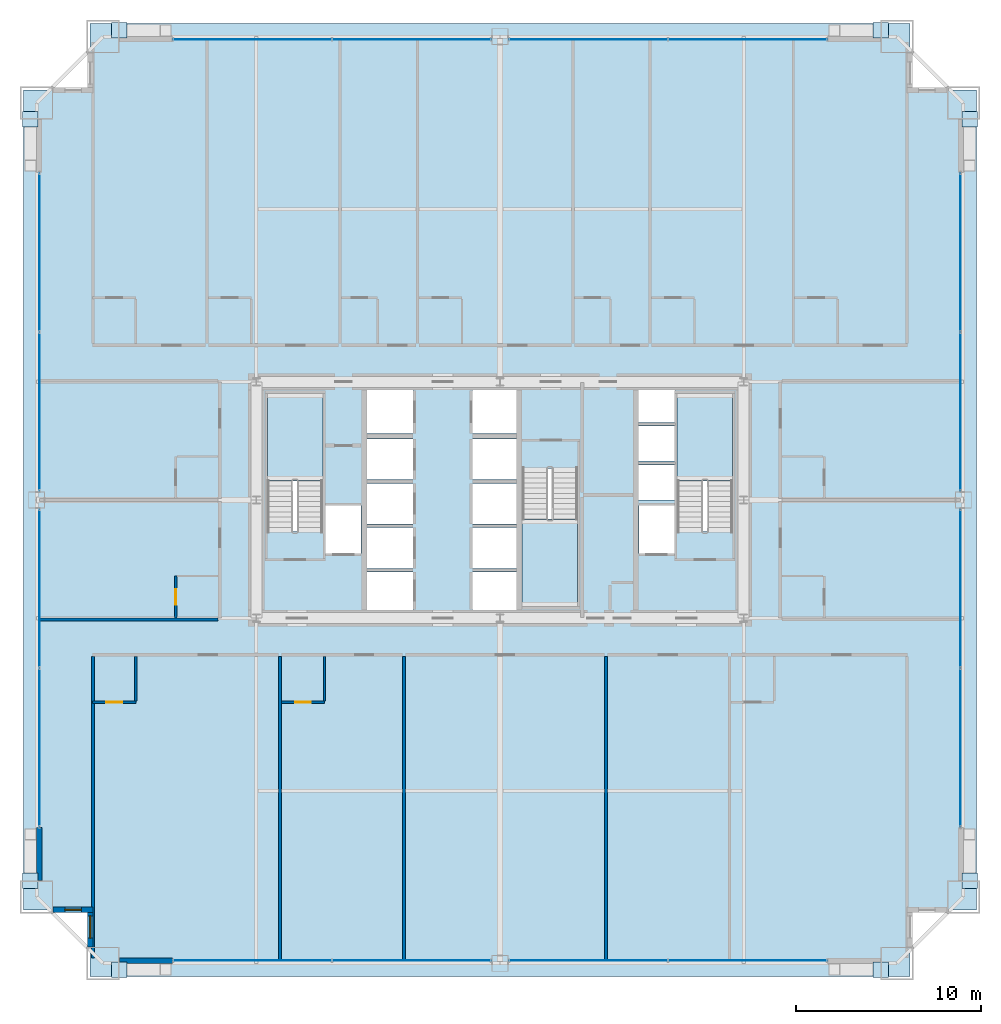
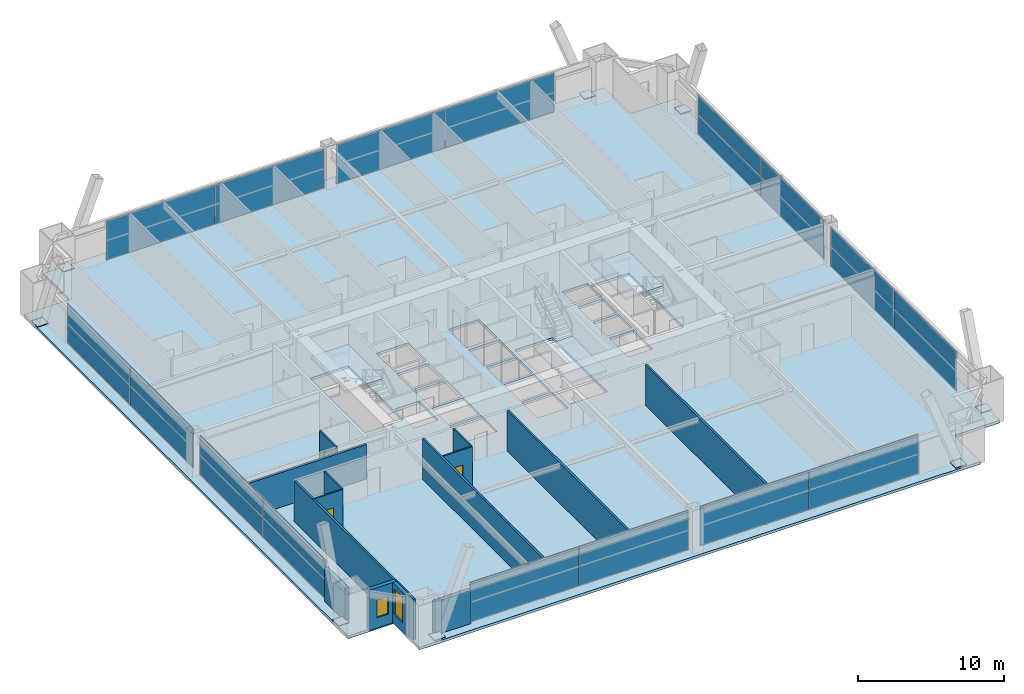
# One storey, part 38 of 43: 24 plates, 14 walls, 4 slabs, 3 doors, 2 windows, 5 openings, 11 elements without a shape of their own.
"""IFC4 building model written with IfcOpenShell, lengths in metres."""

from ifc_helpers import new_model, si_unit, direction, frame, frame_2d, origin, origin_2d, place, context, subcontext, project, spatial, polyline, rectangle, outline, extrude, source, transform, mapped, material, layer, layer_set, type_object, element, fill, aggregate, save


model = new_model("IFC4")

# Units and contexts
model_context = context("Model", 3, precision=1e-05, world=origin(), true_north=direction((0.0, 1.0)))
body_context = subcontext(model_context, "Body", "Model", "MODEL_VIEW")
ifc_project = project(units=[si_unit("LENGTHUNIT", "METRE"), si_unit("AREAUNIT", "SQUARE_METRE"), si_unit("VOLUMEUNIT", "CUBIC_METRE"), si_unit("PLANEANGLEUNIT", "RADIAN"), si_unit("MASSUNIT", "GRAM", prefix="KILO"), si_unit("THERMODYNAMICTEMPERATUREUNIT", "KELVIN"), si_unit("POWERUNIT", "WATT")], contexts=[model_context])

# Site, building, storey
site_placement = place(None, origin())
site = spatial("IfcSite", under=ifc_project, at=site_placement, CompositionType="ELEMENT")
building_placement = place(site_placement, origin())
building = spatial("IfcBuilding", under=site, at=building_placement, Name="Yuzanri Waterfront Tower", CompositionType="ELEMENT")
storey_placement = place(building_placement, frame((0.0, 0.0, 53.199951171875)))
storey = spatial("IfcBuildingStorey", under=building, at=storey_placement, Name="L13", CompositionType="ELEMENT", Elevation=53.199951171875)

# Stair, slab
ifc_material_1 = material(Name="Concrete C40", Category="concrete")
stair_type = type_object("IfcStairType", Name="Concrete C40 Core Dogleg Exit Stair", PredefinedType="HALF_TURN_STAIR", material=ifc_material_1)
stair_1_placement = place(storey_placement, origin())
stair_1 = element("IfcStair", 1, at=stair_1_placement, inside=storey, type_object=stair_type, Name="L13 Smoke-Proof Core Stair ST-01", PredefinedType="HALF_TURN_STAIR")
ifc_material_2 = material(Name="Concrete C40", Category="concrete")
ifc_layer_1 = layer(ifc_material_2, 0.179931640625)
ifc_layer_set_1 = layer_set([ifc_layer_1], Name="Concrete C40")
slab_type_1 = type_object("IfcSlabType", Name="Concrete C40 Stair Half-Landing Slab 180", PredefinedType="LANDING", material=ifc_layer_set_1)
slab_1_placement = place(storey_placement, frame((0.0, 0.0, 1.60009765625)))
slab_1 = element("IfcSlab", 2, at=slab_1_placement, type_object=slab_type_1, Name="ST-01 landing 1", PredefinedType="LANDING", context=body_context, shape_type="SweptSolid", body=[
    extrude(outline(polyline([(27.39990234375, 26.840087890625), (27.39990234375, 31.580078125), (24.39990234375, 31.580078125), (24.39990234375, 26.840087890625), (27.39990234375, 26.840087890625)])), origin(), (0.0, 0.0, 1.0), 0.199951171875),
])
aggregate(stair_1, [slab_1])

stair_2_placement = place(storey_placement, origin())
stair_2 = element("IfcStair", 3, at=stair_2_placement, inside=storey, type_object=stair_type, Name="L13 Smoke-Proof Core Stair ST-02", PredefinedType="HALF_TURN_STAIR")
slab_2_placement = place(storey_placement, frame((0.0, 0.0, 1.60009765625)))
slab_2 = element("IfcSlab", 4, at=slab_2_placement, type_object=slab_type_1, Name="ST-02 landing 1", PredefinedType="LANDING", context=body_context, shape_type="SweptSolid", body=[
    extrude(outline(polyline([(49.60009765625, 26.840087890625), (49.60009765625, 31.580078125), (46.60009765625, 31.580078125), (46.60009765625, 26.840087890625), (49.60009765625, 26.840087890625)])), origin(), (0.0, 0.0, 1.0), 0.199951171875),
])
aggregate(stair_2, [slab_2])

stair_3_placement = place(storey_placement, origin())
stair_3 = element("IfcStair", 5, at=stair_3_placement, inside=storey, type_object=stair_type, Name="L13 Smoke-Proof Core Stair ST-03", PredefinedType="HALF_TURN_STAIR")
slab_3_placement = place(storey_placement, frame((0.0, 0.0, 1.60009765625)))
slab_3 = element("IfcSlab", 6, at=slab_3_placement, type_object=slab_type_1, Name="ST-03 landing 1", PredefinedType="LANDING", context=body_context, shape_type="SweptSolid", body=[
    extrude(outline(polyline([(38.199951171875, 24.760009765625), (38.199951171875, 20.02001953125), (41.199951171875, 20.02001953125), (41.199951171875, 24.760009765625), (38.199951171875, 24.760009765625)])), origin(), (0.0, 0.0, 1.0), 0.199951171875),
])
aggregate(stair_3, [slab_3])

# Slab
ifc_material_3 = material(Name="Concrete C40", Category="concrete")
ifc_layer_2 = layer(ifc_material_3, 0.219970703125)
ifc_layer_set_2 = layer_set([ifc_layer_2], Name="Concrete C40")
slab_type_2 = type_object("IfcSlabType", Name="Concrete C40 Tower Typical Structural Floor Slab 220", PredefinedType="FLOOR", material=ifc_layer_set_2)
slab_4_placement = place(storey_placement, frame((0.0, 0.0, -0.219970703125)))
element("IfcSlab", 7, at=slab_4_placement, inside=storey, type_object=slab_type_2, Name="L13 Main Structural Floor Slab", PredefinedType="FLOOR", context=body_context, shape_type="SweptSolid", body=[
    extrude(outline(polyline([(14.800048828125, 0.0), (59.199951171875, 0.0), (59.199951171875, 3.60009765625), (62.800048828125, 3.60009765625), (62.800048828125, 48.0), (59.199951171875, 48.0), (59.199951171875, 51.60009765625), (14.800048828125, 51.60009765625), (14.800048828125, 48.0), (11.199951171875, 48.0), (11.199951171875, 3.60009765625), (14.800048828125, 3.60009765625), (14.800048828125, 0.0)]), holes=[polyline([(27.39990234375, 24.10009765625), (27.39990234375, 31.580078125), (24.39990234375, 31.580078125), (24.39990234375, 24.10009765625), (27.39990234375, 24.10009765625)]), polyline([(49.60009765625, 24.10009765625), (49.60009765625, 31.580078125), (46.60009765625, 31.580078125), (46.60009765625, 24.10009765625), (49.60009765625, 24.10009765625)]), polyline([(38.199951171875, 27.5), (38.199951171875, 20.02001953125), (41.199951171875, 20.02001953125), (41.199951171875, 27.5), (38.199951171875, 27.5)]), polyline([(27.56005859375, 22.89990234375), (29.47998046875, 22.89990234375), (29.47998046875, 25.5), (27.56005859375, 25.5), (27.56005859375, 22.89990234375)]), polyline([(44.52001953125, 22.89990234375), (46.43994140625, 22.89990234375), (46.43994140625, 25.5), (44.52001953125, 25.5), (44.52001953125, 22.89990234375)]), polyline([(29.800048828125, 19.699951171875), (32.300048828125, 19.699951171875), (32.300048828125, 21.89990234375), (29.800048828125, 21.89990234375), (29.800048828125, 19.699951171875)]), polyline([(29.800048828125, 22.10009765625), (32.300048828125, 22.10009765625), (32.300048828125, 24.300048828125), (29.800048828125, 24.300048828125), (29.800048828125, 22.10009765625)]), polyline([(29.800048828125, 24.5), (32.300048828125, 24.5), (32.300048828125, 26.699951171875), (29.800048828125, 26.699951171875), (29.800048828125, 24.5)]), polyline([(29.800048828125, 26.89990234375), (32.300048828125, 26.89990234375), (32.300048828125, 29.10009765625), (29.800048828125, 29.10009765625), (29.800048828125, 26.89990234375)]), polyline([(29.800048828125, 29.39990234375), (32.300048828125, 29.39990234375), (32.300048828125, 31.89990234375), (29.800048828125, 31.89990234375), (29.800048828125, 29.39990234375)]), polyline([(35.5, 19.699951171875), (37.89990234375, 19.699951171875), (37.89990234375, 21.89990234375), (35.5, 21.89990234375), (35.5, 19.699951171875)]), polyline([(35.5, 22.10009765625), (37.89990234375, 22.10009765625), (37.89990234375, 24.300048828125), (35.5, 24.300048828125), (35.5, 22.10009765625)]), polyline([(35.5, 24.5), (37.89990234375, 24.5), (37.89990234375, 26.699951171875), (35.5, 26.699951171875), (35.5, 24.5)]), polyline([(35.5, 26.89990234375), (37.89990234375, 26.89990234375), (37.89990234375, 29.10009765625), (35.5, 29.10009765625), (35.5, 26.89990234375)]), polyline([(35.5, 29.39990234375), (37.89990234375, 29.39990234375), (37.89990234375, 31.89990234375), (35.5, 31.89990234375), (35.5, 29.39990234375)]), polyline([(44.5, 25.800048828125), (46.5, 25.800048828125), (46.5, 27.699951171875), (44.5, 27.699951171875), (44.5, 25.800048828125)]), polyline([(44.5, 27.89990234375), (46.5, 27.89990234375), (46.5, 29.800048828125), (44.5, 29.800048828125), (44.5, 27.89990234375)]), polyline([(44.5, 30.0), (46.5, 30.0), (46.5, 31.89990234375), (44.5, 31.89990234375), (44.5, 30.0)])]), origin(), (0.0, 0.0, 1.0), 0.219970703125),
])

# Plates
ifc_material_4 = material(Name="Steel Q420GJC", Category="steel")
ifc_layer_3 = layer(ifc_material_4, 0.0400390625)
ifc_layer_set_3 = layer_set([ifc_layer_3], Name="Steel Q420GJC")
plate_type_1 = type_object("IfcPlateType", Name="Steel Q420GJC Mega-Brace Gusset and End-Cap Plate 40", PredefinedType="SHEET", material=ifc_layer_set_3)
shared_shape_1 = source(origin(), body_context, "Body", "SweptSolid", [
    extrude(rectangle(XDim=0.85009765625, YDim=0.85009765625, at=origin_2d()), origin(), (0.0, 0.0, 1.0), 0.0400390625),
])
for number, where, z_axis, x_axis, name in (
    (8, (16.3798828125, 0.360107421875, 0.159912109375), (0.0, 0.0, 1.0), (1.0, 0.0, 0.0), "L13 Mega-Brace Foot Cap Plate S-L"),
    (9, (57.6201171875, 0.360107421875, 0.159912109375), (0.0, 0.0, 1.0), (1.0, 0.0, 0.0), "L13 Mega-Brace Foot Cap Plate S-R"),
    (10, (16.3798828125, 51.239990234375, 0.159912109375), (0.0, 0.0, 1.0), (1.0, 0.0, 0.0), "L13 Mega-Brace Foot Cap Plate N-L"),
    (11, (57.6201171875, 51.239990234375, 0.159912109375), (0.0, 0.0, 1.0), (1.0, 0.0, 0.0), "L13 Mega-Brace Foot Cap Plate N-R"),
    (12, (11.56005859375, 5.179931640625, 0.159912109375), (0.0, 0.0, 1.0), (1.0, 0.0, 0.0), "L13 Mega-Brace Foot Cap Plate W-L"),
    (13, (11.56005859375, 46.419921875, 0.159912109375), (0.0, 0.0, 1.0), (1.0, 0.0, 0.0), "L13 Mega-Brace Foot Cap Plate W-R"),
    (14, (62.43994140625, 5.179931640625, 0.159912109375), (0.0, 0.0, 1.0), (1.0, 0.0, 0.0), "L13 Mega-Brace Foot Cap Plate E-L"),
    (15, (62.43994140625, 46.419921875, 0.159912109375), (0.0, 0.0, 1.0), (1.0, 0.0, 0.0), "L13 Mega-Brace Foot Cap Plate E-R"),
):
    element("IfcPlate", number, at=place(storey_placement, frame(where, z_axis=z_axis, x_axis=x_axis)), inside=storey, type_object=plate_type_1, Name=name, PredefinedType="SHEET", context=body_context, shape_type="MappedRepresentation", body=[
        mapped(shared_shape_1, transform((0.0, 0.0, 0.0), scale=1.0)),
    ])

# Curtain wall, plates
ifc_material_5 = material(Name="Anodized Architectural Bronze", Category="metal")
ifc_layer_4 = layer(ifc_material_5, 0.159912109375)
ifc_layer_set_4 = layer_set([ifc_layer_4], Name="Anodized Architectural Bronze")
curtain_wall_type = type_object("IfcCurtainWallType", Name="Anodized Bronze Hotel Lower-Tier Recessed Unitized Curtain Wall 8100", PredefinedType="NOTDEFINED", material=ifc_layer_set_4)
curtain_wall_1_placement = place(storey_placement, origin())
curtain_wall_1 = element("IfcCurtainWall", 16, at=curtain_wall_1_placement, inside=storey, type_object=curtain_wall_type, Name="L13 Curtain Wall CW-L13-SL", PredefinedType="NOTDEFINED")
ifc_material_6 = material(Name="Double-Silver Low-E Insulated Glass", Category="glass")
ifc_layer_5 = layer(ifc_material_6, 0.035888671875)
ifc_layer_set_5 = layer_set([ifc_layer_5], Name="Double-Silver Low-E Insulated Glass")
plate_type_2 = type_object("IfcPlateType", Name="Double Silver Low-E Insulated Vision Glass Panel 36", PredefinedType="CURTAIN_PANEL", material=ifc_layer_set_5)
shared_shape_2 = source(origin(), body_context, "Body", "SweptSolid", [
    extrude(rectangle(XDim=8.570068359375, YDim=0.035888671875, at=origin_2d()), origin(), (0.0, 0.0, 1.0), 3.280029296875),
])
plate_1_placement = place(storey_placement, frame((23.574951171875, 0.85009765625, 0.0498046875), z_axis=(0.0, 0.0, 1.0), x_axis=(1.0, 0.0, 0.0)))
plate_1 = element("IfcPlate", 17, at=plate_1_placement, type_object=plate_type_2, Name="CW-L13-SL Vision Glass Panel 01", PredefinedType="CURTAIN_PANEL", context=body_context, shape_type="MappedRepresentation", body=[
    mapped(shared_shape_2, transform((0.0, 0.0, 0.0), scale=1.0)),
])
plate_2_placement = place(storey_placement, frame((32.22509765625, 0.85009765625, 0.0498046875), z_axis=(0.0, 0.0, 1.0), x_axis=(1.0, 0.0, 0.0)))
plate_2 = element("IfcPlate", 18, at=plate_2_placement, type_object=plate_type_2, Name="CW-L13-SL Vision Glass Panel 02", PredefinedType="CURTAIN_PANEL", context=body_context, shape_type="MappedRepresentation", body=[
    mapped(shared_shape_2, transform((0.0, 0.0, 0.0), scale=1.0)),
])
aggregate(curtain_wall_1, [plate_1, plate_2])

curtain_wall_2_placement = place(storey_placement, origin())
curtain_wall_2 = element("IfcCurtainWall", 19, at=curtain_wall_2_placement, inside=storey, type_object=curtain_wall_type, Name="L13 Curtain Wall CW-L13-SR", PredefinedType="NOTDEFINED")
plate_3_placement = place(storey_placement, frame((41.77490234375, 0.85009765625, 0.0498046875), z_axis=(0.0, 0.0, 1.0), x_axis=(1.0, 0.0, 0.0)))
plate_3 = element("IfcPlate", 20, at=plate_3_placement, type_object=plate_type_2, Name="CW-L13-SR Vision Glass Panel 01", PredefinedType="CURTAIN_PANEL", context=body_context, shape_type="MappedRepresentation", body=[
    mapped(shared_shape_2, transform((0.0, 0.0, 0.0), scale=1.0)),
])
plate_4_placement = place(storey_placement, frame((50.425048828125, 0.85009765625, 0.0498046875), z_axis=(0.0, 0.0, 1.0), x_axis=(1.0, 0.0, 0.0)))
plate_4 = element("IfcPlate", 21, at=plate_4_placement, type_object=plate_type_2, Name="CW-L13-SR Vision Glass Panel 02", PredefinedType="CURTAIN_PANEL", context=body_context, shape_type="MappedRepresentation", body=[
    mapped(shared_shape_2, transform((0.0, 0.0, 0.0), scale=1.0)),
])
aggregate(curtain_wall_2, [plate_3, plate_4])

curtain_wall_3_placement = place(storey_placement, origin())
curtain_wall_3 = element("IfcCurtainWall", 22, at=curtain_wall_3_placement, inside=storey, type_object=curtain_wall_type, Name="L13 Curtain Wall CW-L13-NL", PredefinedType="NOTDEFINED")
plate_5_placement = place(storey_placement, frame((23.574951171875, 50.75, 0.0498046875), z_axis=(0.0, 0.0, 1.0), x_axis=(1.0, 0.0, 0.0)))
plate_5 = element("IfcPlate", 23, at=plate_5_placement, type_object=plate_type_2, Name="CW-L13-NL Vision Glass Panel 01", PredefinedType="CURTAIN_PANEL", context=body_context, shape_type="MappedRepresentation", body=[
    mapped(shared_shape_2, transform((0.0, 0.0, 0.0), scale=1.0)),
])
plate_6_placement = place(storey_placement, frame((32.22509765625, 50.75, 0.0498046875), z_axis=(0.0, 0.0, 1.0), x_axis=(1.0, 0.0, 0.0)))
plate_6 = element("IfcPlate", 24, at=plate_6_placement, type_object=plate_type_2, Name="CW-L13-NL Vision Glass Panel 02", PredefinedType="CURTAIN_PANEL", context=body_context, shape_type="MappedRepresentation", body=[
    mapped(shared_shape_2, transform((0.0, 0.0, 0.0), scale=1.0)),
])
aggregate(curtain_wall_3, [plate_5, plate_6])

curtain_wall_4_placement = place(storey_placement, origin())
curtain_wall_4 = element("IfcCurtainWall", 25, at=curtain_wall_4_placement, inside=storey, type_object=curtain_wall_type, Name="L13 Curtain Wall CW-L13-NR", PredefinedType="NOTDEFINED")
plate_7_placement = place(storey_placement, frame((41.77490234375, 50.75, 0.0498046875), z_axis=(0.0, 0.0, 1.0), x_axis=(1.0, 0.0, 0.0)))
plate_7 = element("IfcPlate", 26, at=plate_7_placement, type_object=plate_type_2, Name="CW-L13-NR Vision Glass Panel 01", PredefinedType="CURTAIN_PANEL", context=body_context, shape_type="MappedRepresentation", body=[
    mapped(shared_shape_2, transform((0.0, 0.0, 0.0), scale=1.0)),
])
plate_8_placement = place(storey_placement, frame((50.425048828125, 50.75, 0.0498046875), z_axis=(0.0, 0.0, 1.0), x_axis=(1.0, 0.0, 0.0)))
plate_8 = element("IfcPlate", 27, at=plate_8_placement, type_object=plate_type_2, Name="CW-L13-NR Vision Glass Panel 02", PredefinedType="CURTAIN_PANEL", context=body_context, shape_type="MappedRepresentation", body=[
    mapped(shared_shape_2, transform((0.0, 0.0, 0.0), scale=1.0)),
])
aggregate(curtain_wall_4, [plate_7, plate_8])

curtain_wall_5_placement = place(storey_placement, origin())
curtain_wall_5 = element("IfcCurtainWall", 28, at=curtain_wall_5_placement, inside=storey, type_object=curtain_wall_type, Name="L13 Curtain Wall CW-L13-WL", PredefinedType="NOTDEFINED")
plate_9_placement = place(storey_placement, frame((12.050048828125, 12.375, 0.0498046875), z_axis=(0.0, 0.0, 1.0), x_axis=(0.0, 1.0, 0.0)))
plate_9 = element("IfcPlate", 29, at=plate_9_placement, type_object=plate_type_2, Name="CW-L13-WL Vision Glass Panel 01", PredefinedType="CURTAIN_PANEL", context=body_context, shape_type="MappedRepresentation", body=[
    mapped(shared_shape_2, transform((0.0, 0.0, 0.0), scale=1.0)),
])
plate_10_placement = place(storey_placement, frame((12.050048828125, 21.02490234375, 0.0498046875), z_axis=(0.0, 0.0, 1.0), x_axis=(0.0, 1.0, 0.0)))
plate_10 = element("IfcPlate", 30, at=plate_10_placement, type_object=plate_type_2, Name="CW-L13-WL Vision Glass Panel 02", PredefinedType="CURTAIN_PANEL", context=body_context, shape_type="MappedRepresentation", body=[
    mapped(shared_shape_2, transform((0.0, 0.0, 0.0), scale=1.0)),
])
aggregate(curtain_wall_5, [plate_9, plate_10])

curtain_wall_6_placement = place(storey_placement, origin())
curtain_wall_6 = element("IfcCurtainWall", 31, at=curtain_wall_6_placement, inside=storey, type_object=curtain_wall_type, Name="L13 Curtain Wall CW-L13-WR", PredefinedType="NOTDEFINED")
plate_11_placement = place(storey_placement, frame((12.050048828125, 30.574951171875, 0.0498046875), z_axis=(0.0, 0.0, 1.0), x_axis=(0.0, 1.0, 0.0)))
plate_11 = element("IfcPlate", 32, at=plate_11_placement, type_object=plate_type_2, Name="CW-L13-WR Vision Glass Panel 01", PredefinedType="CURTAIN_PANEL", context=body_context, shape_type="MappedRepresentation", body=[
    mapped(shared_shape_2, transform((0.0, 0.0, 0.0), scale=1.0)),
])
plate_12_placement = place(storey_placement, frame((12.050048828125, 39.22509765625, 0.0498046875), z_axis=(0.0, 0.0, 1.0), x_axis=(0.0, 1.0, 0.0)))
plate_12 = element("IfcPlate", 33, at=plate_12_placement, type_object=plate_type_2, Name="CW-L13-WR Vision Glass Panel 02", PredefinedType="CURTAIN_PANEL", context=body_context, shape_type="MappedRepresentation", body=[
    mapped(shared_shape_2, transform((0.0, 0.0, 0.0), scale=1.0)),
])
aggregate(curtain_wall_6, [plate_11, plate_12])

curtain_wall_7_placement = place(storey_placement, origin())
curtain_wall_7 = element("IfcCurtainWall", 34, at=curtain_wall_7_placement, inside=storey, type_object=curtain_wall_type, Name="L13 Curtain Wall CW-L13-EL", PredefinedType="NOTDEFINED")
plate_13_placement = place(storey_placement, frame((61.949951171875, 12.375, 0.0498046875), z_axis=(0.0, 0.0, 1.0), x_axis=(0.0, 1.0, 0.0)))
plate_13 = element("IfcPlate", 35, at=plate_13_placement, type_object=plate_type_2, Name="CW-L13-EL Vision Glass Panel 01", PredefinedType="CURTAIN_PANEL", context=body_context, shape_type="MappedRepresentation", body=[
    mapped(shared_shape_2, transform((0.0, 0.0, 0.0), scale=1.0)),
])
plate_14_placement = place(storey_placement, frame((61.949951171875, 21.02490234375, 0.0498046875), z_axis=(0.0, 0.0, 1.0), x_axis=(0.0, 1.0, 0.0)))
plate_14 = element("IfcPlate", 36, at=plate_14_placement, type_object=plate_type_2, Name="CW-L13-EL Vision Glass Panel 02", PredefinedType="CURTAIN_PANEL", context=body_context, shape_type="MappedRepresentation", body=[
    mapped(shared_shape_2, transform((0.0, 0.0, 0.0), scale=1.0)),
])
aggregate(curtain_wall_7, [plate_13, plate_14])

curtain_wall_8_placement = place(storey_placement, origin())
curtain_wall_8 = element("IfcCurtainWall", 37, at=curtain_wall_8_placement, inside=storey, type_object=curtain_wall_type, Name="L13 Curtain Wall CW-L13-ER", PredefinedType="NOTDEFINED")
plate_15_placement = place(storey_placement, frame((61.949951171875, 30.574951171875, 0.0498046875), z_axis=(0.0, 0.0, 1.0), x_axis=(0.0, 1.0, 0.0)))
plate_15 = element("IfcPlate", 38, at=plate_15_placement, type_object=plate_type_2, Name="CW-L13-ER Vision Glass Panel 01", PredefinedType="CURTAIN_PANEL", context=body_context, shape_type="MappedRepresentation", body=[
    mapped(shared_shape_2, transform((0.0, 0.0, 0.0), scale=1.0)),
])
plate_16_placement = place(storey_placement, frame((61.949951171875, 39.22509765625, 0.0498046875), z_axis=(0.0, 0.0, 1.0), x_axis=(0.0, 1.0, 0.0)))
plate_16 = element("IfcPlate", 39, at=plate_16_placement, type_object=plate_type_2, Name="CW-L13-ER Vision Glass Panel 02", PredefinedType="CURTAIN_PANEL", context=body_context, shape_type="MappedRepresentation", body=[
    mapped(shared_shape_2, transform((0.0, 0.0, 0.0), scale=1.0)),
])
aggregate(curtain_wall_8, [plate_15, plate_16])

# Wall, opening, door
ifc_material_7 = material(Name="Moisture-Resistant Gypsum Stud Wall", Category="gypsum")
ifc_layer_6 = layer(ifc_material_7, 0.1201171875)
ifc_layer_set_6 = layer_set([ifc_layer_6], Name="Moisture-Resistant Gypsum Stud Wall")
wall_type_1 = type_object("IfcWallType", Name="Bathroom and Kitchen Wet Partition 120", PredefinedType="PARTITIONING", material=ifc_layer_set_6)
wall_1_placement = place(storey_placement, frame((14.93994140625, 14.840087890625, 0.0), z_axis=(0.0, 0.0, 1.0), x_axis=(1.0, 0.0, 0.0)))
wall_1 = element("IfcWall", 40, at=wall_1_placement, inside=storey, type_object=wall_type_1, Name="L13 Partition UW-L13-S1-BS", PredefinedType="PARTITIONING", context=body_context, shape_type="SweptSolid", body=[
    extrude(rectangle(XDim=2.330078125, YDim=0.1201171875, at=frame_2d((1.1650390625, 0.0))), origin(), (0.0, 0.0, 1.0), 3.380126953125),
])
opening_1_placement = place(wall_1_placement, frame((0.739990234375, 0.0, 0.0)))
opening_1 = element("IfcOpeningElement", 41, at=opening_1_placement, cuts=wall_1, Name="Opening ID-0850", PredefinedType="OPENING", context=body_context, shape_type="SweptSolid", body=[
    extrude(rectangle(XDim=0.85009765625, YDim=2.10009765625, at=frame_2d((0.425048828125, 1.050048828125))), frame((0.0, 0.074951171875, 0.0), z_axis=(0.0, -1.0, 0.0), x_axis=(1.0, 0.0, 0.0)), (0.0, 0.0, 1.0), 0.14990234375),
])
ifc_material_8 = material(Name="Moisture-Resistant Lacquered Timber", Category="wood")
door_type = type_object("IfcDoorType", Name="En-Suite Bathroom and Kitchen Swing Door 850x2100", OperationType="NOTDEFINED", PredefinedType="DOOR", material=ifc_material_8)
shared_shape_3 = source(origin(), body_context, "Body", "SweptSolid", [
    extrude(rectangle(XDim=0.85009765625, YDim=2.10009765625, at=frame_2d((0.425048828125, 1.050048828125))), frame((0.0, 0.02490234375, 0.0), z_axis=(0.0, -1.0, 0.0), x_axis=(1.0, 0.0, 0.0)), (0.0, 0.0, 1.0), 0.050048828125),
])
door_1_placement = place(opening_1_placement, origin())
door_1 = element("IfcDoor", 42, at=door_1_placement, inside=storey, type_object=door_type, Name="L13 Guest En-Suite Door", OperationType="SINGLE_SWING_LEFT", OverallHeight=2.10009765625, OverallWidth=0.85009765625, PredefinedType="DOOR", context=body_context, shape_type="MappedRepresentation", body=[
    mapped(shared_shape_3, transform((0.0, 0.0, 0.0), scale=1.0)),
])
fill(opening_1, door_1)

wall_2_placement = place(storey_placement, frame((25.16796875, 14.840087890625, 0.0), z_axis=(0.0, 0.0, 1.0), x_axis=(1.0, 0.0, 0.0)))
wall_2 = element("IfcWall", 43, at=wall_2_placement, inside=storey, type_object=wall_type_1, Name="L13 Partition UW-L13-S2-BS", PredefinedType="PARTITIONING", context=body_context, shape_type="SweptSolid", body=[
    extrude(rectangle(XDim=2.330078125, YDim=0.1201171875, at=frame_2d((1.1650390625, 0.0))), origin(), (0.0, 0.0, 1.0), 3.380126953125),
])
opening_2_placement = place(wall_2_placement, frame((0.739990234375, 0.0, 0.0)))
opening_2 = element("IfcOpeningElement", 44, at=opening_2_placement, cuts=wall_2, Name="Opening ID-0850", PredefinedType="OPENING", context=body_context, shape_type="SweptSolid", body=[
    extrude(rectangle(XDim=0.85009765625, YDim=2.10009765625, at=frame_2d((0.425048828125, 1.050048828125))), frame((0.0, 0.074951171875, 0.0), z_axis=(0.0, -1.0, 0.0), x_axis=(1.0, 0.0, 0.0)), (0.0, 0.0, 1.0), 0.14990234375),
])
door_2_placement = place(opening_2_placement, origin())
door_2 = element("IfcDoor", 45, at=door_2_placement, inside=storey, type_object=door_type, Name="L13 Guest En-Suite Door", OperationType="SINGLE_SWING_LEFT", OverallHeight=2.10009765625, OverallWidth=0.85009765625, PredefinedType="DOOR", context=body_context, shape_type="MappedRepresentation", body=[
    mapped(shared_shape_3, transform((0.0, 0.0, 0.0), scale=1.0)),
])
fill(opening_2, door_2)

wall_3_placement = place(storey_placement, frame((19.43994140625, 19.409912109375, 0.0), z_axis=(0.0, 0.0, 1.0), x_axis=(0.0, 1.0, 0.0)))
wall_3 = element("IfcWall", 46, at=wall_3_placement, inside=storey, type_object=wall_type_1, Name="L13 Partition UW-L13-W1-BW", PredefinedType="PARTITIONING", context=body_context, shape_type="SweptSolid", body=[
    extrude(rectangle(XDim=2.280029296875, YDim=0.1201171875, at=frame_2d((1.14013671875, 0.0))), origin(), (0.0, 0.0, 1.0), 3.380126953125),
])
opening_3_placement = place(wall_3_placement, frame((0.715087890625, 0.0, 0.0)))
opening_3 = element("IfcOpeningElement", 47, at=opening_3_placement, cuts=wall_3, Name="Opening ID-0850", PredefinedType="OPENING", context=body_context, shape_type="SweptSolid", body=[
    extrude(rectangle(XDim=0.85009765625, YDim=2.10009765625, at=frame_2d((0.425048828125, 1.050048828125))), frame((0.0, 0.074951171875, 0.0), z_axis=(0.0, -1.0, 0.0), x_axis=(1.0, 0.0, 0.0)), (0.0, 0.0, 1.0), 0.14990234375),
])
door_3_placement = place(opening_3_placement, origin())
door_3 = element("IfcDoor", 48, at=door_3_placement, inside=storey, type_object=door_type, Name="L13 Guest En-Suite Door", OperationType="SINGLE_SWING_LEFT", OverallHeight=2.10009765625, OverallWidth=0.85009765625, PredefinedType="DOOR", context=body_context, shape_type="MappedRepresentation", body=[
    mapped(shared_shape_3, transform((0.0, 0.0, 0.0), scale=1.0)),
])
fill(opening_3, door_3)

# Wall, opening, window
ifc_material_9 = material(Name="Honed Chongqing Dark Basalt Stone", Category="masonry")
ifc_layer_7 = layer(ifc_material_9, 0.300048828125)
ifc_layer_set_7 = layer_set([ifc_layer_7], Name="Honed Chongqing Dark Basalt Stone")
wall_type_2 = type_object("IfcWallType", Name="Bronze Rainscreen Insulated Spandrel Portal Wall 300", PredefinedType="SOLIDWALL", material=ifc_layer_set_7)
wall_4_placement = place(storey_placement, frame((12.800048828125, 3.60009765625, 0.0), z_axis=(0.0, 0.0, 1.0), x_axis=(1.0, 0.0, 0.0)))
wall_4 = element("IfcWall", 49, at=wall_4_placement, inside=storey, type_object=wall_type_2, Name="L13 Notched Corner Masonry Wall SW-X", PredefinedType="SOLIDWALL", context=body_context, shape_type="SweptSolid", body=[
    extrude(rectangle(XDim=2.14990234375, YDim=0.300048828125, at=frame_2d((1.074951171875, 0.0))), origin(), (0.0, 0.0, 1.0), 3.380126953125),
])
opening_4_placement = place(wall_4_placement, frame((0.625, 0.0, 0.85009765625)))
opening_4 = element("IfcOpeningElement", 50, at=opening_4_placement, cuts=wall_4, Name="Opening WN-05", PredefinedType="OPENING", context=body_context, shape_type="SweptSolid", body=[
    extrude(rectangle(XDim=0.89990234375, YDim=1.5, at=frame_2d((0.449951171875, 0.75))), frame((0.0, 0.1650390625, 0.0), z_axis=(0.0, -1.0, 0.0), x_axis=(1.0, 0.0, 0.0)), (0.0, 0.0, 1.0), 0.329833984375),
])
ifc_material_10 = material(Name="Double-Silver Low-E Insulated Glass", Category="glass")
window_type_1 = type_object("IfcWindowType", Name="Anodized Bronze Service and Stairwell Smoke-Vent Window 900x1500", PartitioningType="SINGLE_PANEL", PredefinedType="WINDOW", material=ifc_material_10)
shared_shape_4 = source(origin(), body_context, "Body", "SweptSolid", [
    extrude(rectangle(XDim=0.89990234375, YDim=1.5, at=frame_2d((0.449951171875, 0.75))), frame((0.0, 0.030029296875, 0.0), z_axis=(0.0, -1.0, 0.0), x_axis=(1.0, 0.0, 0.0)), (0.0, 0.0, 1.0), 0.06005859375),
])
window_1_placement = place(opening_4_placement, origin())
window_1 = element("IfcWindow", 51, at=window_1_placement, inside=storey, type_object=window_type_1, Name="L13 Notched Corner Window SW-X", OverallHeight=1.5, OverallWidth=0.89990234375, PartitioningType="SINGLE_PANEL", PredefinedType="WINDOW", context=body_context, shape_type="MappedRepresentation", body=[
    mapped(shared_shape_4, transform((0.0, 0.0, 0.0), scale=1.0)),
])
fill(opening_4, window_1)

wall_5_placement = place(storey_placement, frame((14.800048828125, 3.75, 0.0), z_axis=(0.0, 0.0, 1.0), x_axis=(0.0, -1.0, 0.0)))
wall_5 = element("IfcWall", 52, at=wall_5_placement, inside=storey, type_object=wall_type_2, Name="L13 Notched Corner Masonry Wall SW-Y", PredefinedType="SOLIDWALL", context=body_context, shape_type="SweptSolid", body=[
    extrude(rectangle(XDim=2.14990234375, YDim=0.300048828125, at=frame_2d((1.074951171875, 0.0))), origin(), (0.0, 0.0, 1.0), 3.380126953125),
])
opening_5_placement = place(wall_5_placement, frame((0.47509765625, 0.0, 0.85009765625)))
opening_5 = element("IfcOpeningElement", 53, at=opening_5_placement, cuts=wall_5, Name="Opening WN-02", PredefinedType="OPENING", context=body_context, shape_type="SweptSolid", body=[
    extrude(rectangle(XDim=1.199951171875, YDim=2.10009765625, at=frame_2d((0.60009765625, 1.050048828125))), frame((0.0, 0.1650390625, 0.0), z_axis=(0.0, -1.0, 0.0), x_axis=(1.0, 0.0, 0.0)), (0.0, 0.0, 1.0), 0.329833984375),
])
ifc_material_11 = material(Name="Double-Silver Low-E Insulated Glass", Category="glass")
window_type_2 = type_object("IfcWindowType", Name="Anodized Bronze Notched Corner Deep-Set Slot Window 1200x2100", PartitioningType="SINGLE_PANEL", PredefinedType="WINDOW", material=ifc_material_11)
shared_shape_5 = source(origin(), body_context, "Body", "SweptSolid", [
    extrude(rectangle(XDim=1.199951171875, YDim=2.10009765625, at=frame_2d((0.60009765625, 1.050048828125))), frame((0.0, 0.030029296875, 0.0), z_axis=(0.0, -1.0, 0.0), x_axis=(1.0, 0.0, 0.0)), (0.0, 0.0, 1.0), 0.06005859375),
])
window_2_placement = place(opening_5_placement, origin())
window_2 = element("IfcWindow", 54, at=window_2_placement, inside=storey, type_object=window_type_2, Name="L13 Notched Corner Window SW-Y", OverallHeight=2.10009765625, OverallWidth=1.199951171875, PartitioningType="SINGLE_PANEL", PredefinedType="WINDOW", context=body_context, shape_type="MappedRepresentation", body=[
    mapped(shared_shape_5, transform((0.0, 0.0, 0.0), scale=1.0)),
])
fill(opening_5, window_2)

# Walls
shared_shape_6 = source(origin(), body_context, "Body", "SweptSolid", [
    extrude(rectangle(XDim=2.85009765625, YDim=0.300048828125, at=frame_2d((1.425048828125, 0.0))), origin(), (0.0, 0.0, 1.0), 2.775146484375),
])
for number, where, z_axis, x_axis, name in (
    (55, (16.39990234375, 0.85009765625, 0.0), (0.0, 0.0, 1.0), (1.0, 0.0, 0.0), "L13 S Left Braced Masonry Shoulder"),
    (56, (12.050048828125, 5.199951171875, 0.0), (0.0, 0.0, 1.0), (0.0, 1.0, 0.0), "L13 W Left Braced Masonry Shoulder"),
):
    element("IfcWall", number, at=place(storey_placement, frame(where, z_axis=z_axis, x_axis=x_axis)), inside=storey, type_object=wall_type_2, Name=name, PredefinedType="SOLIDWALL", context=body_context, shape_type="MappedRepresentation", body=[
        mapped(shared_shape_6, transform((0.0, 0.0, 0.0), scale=1.0)),
    ])
ifc_material_12 = material(Name="Gypsum Fireboard Acoustic Stud Wall", Category="gypsum")
ifc_layer_8 = layer(ifc_material_12, 0.159912109375)
ifc_layer_set_8 = layer_set([ifc_layer_8], Name="Gypsum Fireboard Acoustic Stud Wall")
wall_type_3 = type_object("IfcWallType", Name="Acoustic Suite Demising Partition 160", PredefinedType="PARTITIONING", material=ifc_layer_set_8)
shared_shape_7 = source(origin(), body_context, "Body", "SweptSolid", [
    extrude(rectangle(XDim=9.669921875, YDim=0.159912109375, at=frame_2d((4.8349609375, 0.0))), origin(), (0.0, 0.0, 1.0), 2.875),
])
wall_6_placement = place(storey_placement, frame((12.050048828125, 19.330078125, 0.0), z_axis=(0.0, 0.0, 1.0), x_axis=(1.0, 0.0, 0.0)))
element("IfcWall", 57, at=wall_6_placement, inside=storey, type_object=wall_type_3, Name="L13-W1 Wing South End Wall", PredefinedType="PARTITIONING", context=body_context, shape_type="MappedRepresentation", body=[
    mapped(shared_shape_7, transform((0.0, 0.0, 0.0), scale=1.0)),
])
shared_shape_8 = source(origin(), body_context, "Body", "SweptSolid", [
    extrude(rectangle(XDim=16.469970703125, YDim=0.159912109375, at=frame_2d((8.23486328125, 0.0))), origin(), (0.0, 0.0, 1.0), 3.380126953125),
])
for number, where, z_axis, x_axis, name in (
    (58, (25.087890625, 0.85009765625, 0.0), (0.0, 0.0, 1.0), (0.0, 1.0, 0.0), "L13-S1 Party Wall"),
    (59, (31.7939453125, 0.85009765625, 0.0), (0.0, 0.0, 1.0), (0.0, 1.0, 0.0), "L13-S2 Party Wall"),
    (60, (42.736083984375, 0.85009765625, 0.0), (0.0, 0.0, 1.0), (0.0, 1.0, 0.0), "L13-S3 Party Wall"),
):
    element("IfcWall", number, at=place(storey_placement, frame(where, z_axis=z_axis, x_axis=x_axis)), inside=storey, type_object=wall_type_3, Name=name, PredefinedType="PARTITIONING", context=body_context, shape_type="MappedRepresentation", body=[
        mapped(shared_shape_8, transform((0.0, 0.0, 0.0), scale=1.0)),
    ])
shared_shape_9 = source(origin(), body_context, "Body", "SweptSolid", [
    extrude(rectangle(XDim=2.420166015625, YDim=0.1201171875, at=frame_2d((1.2099609375, 0.0))), origin(), (0.0, 0.0, 1.0), 3.380126953125),
])
for number, where, z_axis, x_axis, name in (
    (61, (17.27001953125, 14.89990234375, 0.0), (0.0, 0.0, 1.0), (0.0, 1.0, 0.0), "L13-S1 En-Suite Side Wall"),
    (62, (27.498046875, 14.89990234375, 0.0), (0.0, 0.0, 1.0), (0.0, 1.0, 0.0), "L13-S2 En-Suite Side Wall"),
):
    element("IfcWall", number, at=place(storey_placement, frame(where, z_axis=z_axis, x_axis=x_axis)), inside=storey, type_object=wall_type_1, Name=name, PredefinedType="PARTITIONING", context=body_context, shape_type="MappedRepresentation", body=[
        mapped(shared_shape_9, transform((0.0, 0.0, 0.0), scale=1.0)),
    ])
shared_shape_10 = source(origin(), body_context, "Body", "SweptSolid", [
    extrude(rectangle(XDim=16.320068359375, YDim=0.159912109375, at=frame_2d((8.16015625, 0.0))), origin(), (0.0, 0.0, 1.0), 3.380126953125),
])
wall_7_placement = place(storey_placement, frame((14.949951171875, 1.0, 0.0), z_axis=(0.0, 0.0, 1.0), x_axis=(0.0, 1.0, 0.0)))
element("IfcWall", 63, at=wall_7_placement, inside=storey, type_object=wall_type_3, Name="L13 South Band West End Wall", PredefinedType="PARTITIONING", context=body_context, shape_type="MappedRepresentation", body=[
    mapped(shared_shape_10, transform((0.0, 0.0, 0.0), scale=1.0)),
])

save(model, "model.ifc")
